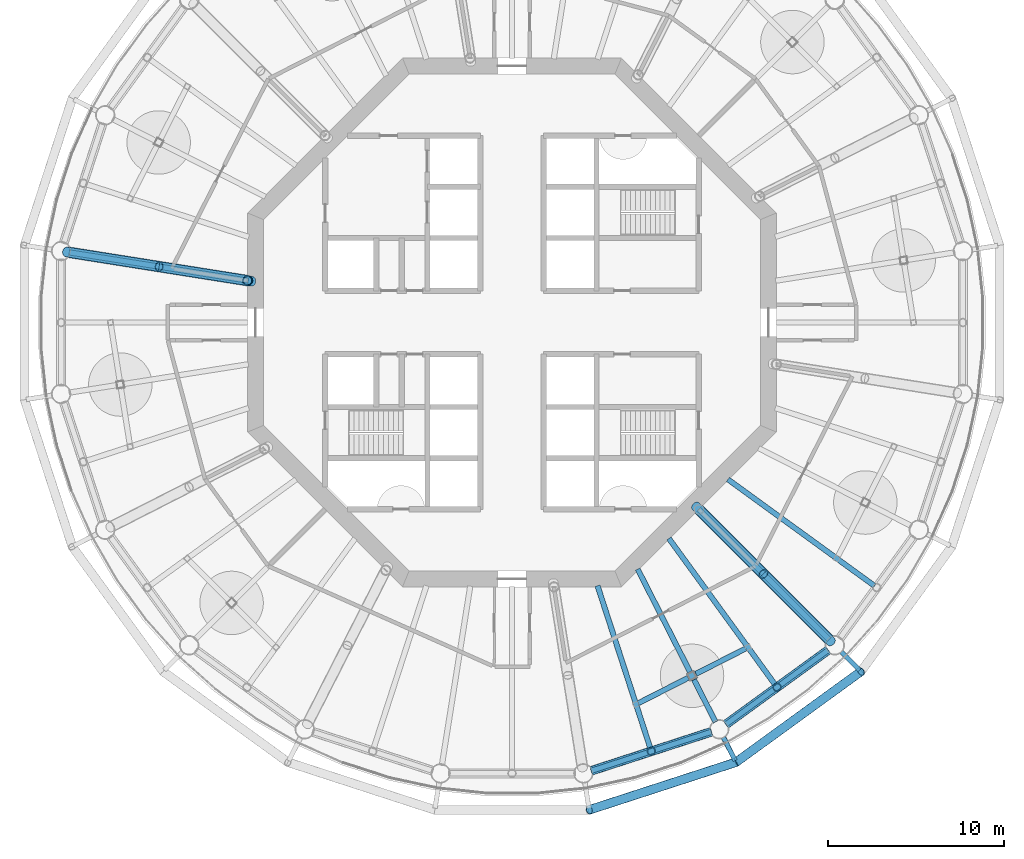
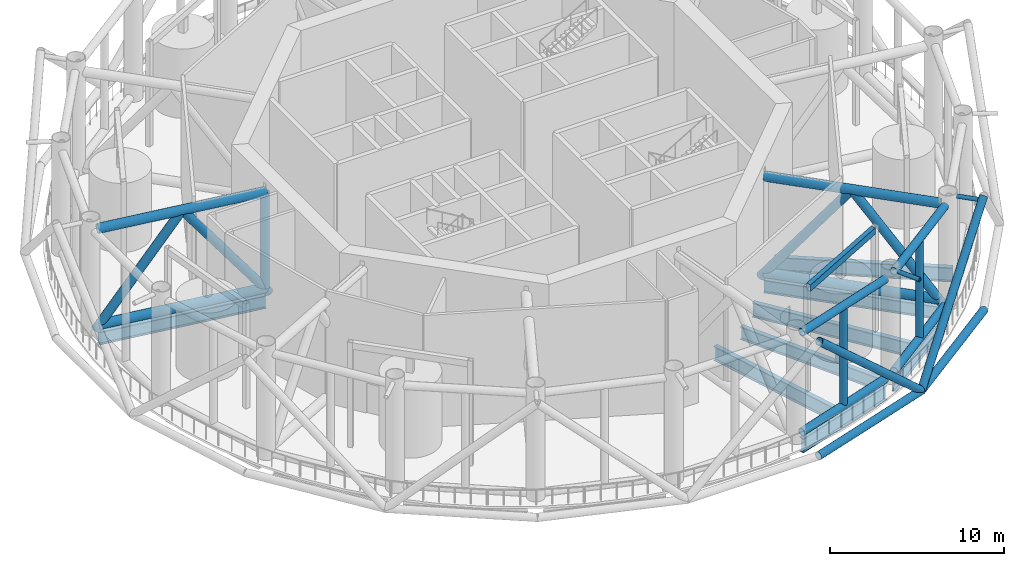
# One storey, part 7 of 22: 22 members, 9 beams.
"""IFC4 building model written with IfcOpenShell, lengths in metres."""

from ifc_helpers import new_model, si_unit, direction, frame, origin, origin_2d, place, context, subcontext, project, spatial, rectangle, hollow_rectangle, circle, hollow_circle, i_section, extrude, material, material_profile, profile_set, type_object, element, save


model = new_model("IFC4")

# Units and contexts
model_context = context("Model", 3, precision=1e-05, world=origin(), true_north=direction((0.0, 1.0)))
body_context = subcontext(model_context, "Body", "Model", "MODEL_VIEW")
ifc_project = project(units=[si_unit("LENGTHUNIT", "METRE"), si_unit("AREAUNIT", "SQUARE_METRE"), si_unit("VOLUMEUNIT", "CUBIC_METRE"), si_unit("PLANEANGLEUNIT", "RADIAN"), si_unit("MASSUNIT", "GRAM", prefix="KILO")], contexts=[model_context])

# Site, building, storey
site_placement = place(None, origin())
site = spatial("IfcSite", under=ifc_project, at=site_placement, CompositionType="ELEMENT")
building_placement = place(site_placement, origin())
building = spatial("IfcBuilding", under=site, at=building_placement, Name="Entoto Ring Tower", CompositionType="ELEMENT")
storey_placement = place(building_placement, frame((0.0, 0.0, 230.0)))
storey = spatial("IfcBuildingStorey", under=building, at=storey_placement, Name="L53", CompositionType="ELEMENT", Elevation=230.0)

# Members
ifc_material_1 = material(Name="Steel S355", Category="steel")
ifc_material_profile_1 = material_profile(ifc_material_1, hollow_circle(Radius=0.25390625, WallThickness=0.02490234375, at=origin_2d()), Name="CHS 508 x 25")
ifc_material_2 = material(Name="Concrete C60/75", Category="concrete")
ifc_material_profile_2 = material_profile(ifc_material_2, circle(Radius=0.22900390625, at=origin_2d()), Name="Concrete C60/75 infill")
ifc_profile_set_1 = profile_set([ifc_material_profile_1, ifc_material_profile_2], Name="Steel S355")
member_type_1 = type_object("IfcMemberType", Name="Diagrid diagonal 508 x 25 concrete-filled tube", PredefinedType="BRACE", material=ifc_profile_set_1)
for number, where, z_axis, x_axis, name in (
    (1, (102.711669921875, 55.0517578125, 0.0), (-0.702283739289, -0.228181506805, 0.674337266865), (0.309011711991, -0.95105823263, 0.0), "DG5 module 17 17"),
    (2, (102.711669921875, 55.0517578125, 0.0), (0.597406930213, 0.434030642959, 0.674331046821), (-0.587775592458, 0.809024012567, 0.0), "DG5 module 17 18"),
):
    element("IfcMember", number, at=place(storey_placement, frame(where, z_axis=z_axis, x_axis=x_axis)), inside=storey, type_object=member_type_1, Name=name, PredefinedType="BRACE", context=body_context, shape_type="SweptSolid", body=[
        extrude(hollow_circle(Radius=0.25390625, WallThickness=0.02490234375, at=origin_2d()), origin(), (0.0, 0.0, 1.0), 11.863525390625),
    ])
ifc_material_3 = material(Name="Steel S355", Category="steel")
ifc_material_profile_3 = material_profile(ifc_material_3, hollow_circle(Radius=0.136474609375, WallThickness=0.012451171875, at=origin_2d()), Name="CHS 273 x 12.5")
ifc_material_4 = material(Name="Concrete C60/75", Category="concrete")
ifc_material_profile_4 = material_profile(ifc_material_4, circle(Radius=0.1240234375, at=origin_2d()), Name="Concrete C60/75 infill")
ifc_profile_set_2 = profile_set([ifc_material_profile_3, ifc_material_profile_4], Name="Steel S355")
member_type_2 = type_object("IfcMemberType", Name="Diagrid node strut 273 x 12.5", PredefinedType="STRUT", material=ifc_profile_set_2)
for number, where, z_axis, x_axis, name in (
    (3, (101.9912109375, 56.466064453125, 7.71337890625), (0.453898730756, -0.891053276869, 0.0), (0.891053276869, 0.453898730756, 0.0), "DS2 strut ring 17 16"),
    (4, (108.676513671875, 61.323486328125, 7.71337890625), (0.707106781187, -0.707106781187, 0.0), (0.707106781187, 0.707106781187, 0.0), "DS2 strut ring 17 17"),
):
    element("IfcMember", number, at=place(storey_placement, frame(where, z_axis=z_axis, x_axis=x_axis)), inside=storey, type_object=member_type_2, Name=name, PredefinedType="STRUT", context=body_context, shape_type="SweptSolid", body=[
        extrude(hollow_circle(Radius=0.136474609375, WallThickness=0.012451171875, at=origin_2d()), origin(), (0.0, 0.0, 1.0), 1.4873046875),
    ])
ifc_material_5 = material(Name="Steel S355", Category="steel")
ifc_material_profile_5 = material_profile(ifc_material_5, hollow_circle(Radius=0.25390625, WallThickness=0.030029296875, at=origin_2d()), Name="CHS 508 x 30")
ifc_material_6 = material(Name="Concrete C60/75", Category="concrete")
ifc_material_profile_6 = material_profile(ifc_material_6, circle(Radius=0.22412109375, at=origin_2d()), Name="Concrete C60/75 infill")
ifc_profile_set_3 = profile_set([ifc_material_profile_5, ifc_material_profile_6], Name="Steel S355")
member_type_3 = type_object("IfcMemberType", Name="Diagrid ring beam 508 x 30", PredefinedType="CHORD", material=ifc_profile_set_3)
for number, where, z_axis, x_axis, name in (
    (5, (94.322998046875, 52.326171875, 0.0), (0.951061338755, 0.309002151976, 0.0), (-0.309002151976, 0.951061338755, 0.0), "DR2 ring 16 16"),
    (6, (102.6630859375, 55.016357421875, 0.0), (0.809012987705, 0.587790766961, 0.0), (-0.587790766961, 0.809012987705, 0.0), "DR2 ring 16 17"),
):
    element("IfcMember", number, at=place(storey_placement, frame(where, z_axis=z_axis, x_axis=x_axis)), inside=storey, type_object=member_type_3, Name=name, PredefinedType="CHORD", context=body_context, shape_type="SweptSolid", body=[
        extrude(hollow_circle(Radius=0.25390625, WallThickness=0.030029296875, at=origin_2d()), origin(), (0.0, 0.0, 1.0), 8.880615234375),
    ])

# Beams
ifc_material_7 = material(Name="Steel S355", Category="steel")
ifc_material_profile_7 = material_profile(ifc_material_7, i_section(OverallWidth=0.300048828125, OverallDepth=1.0, WebThickness=0.01904296875, FlangeThickness=0.035888671875, FilletRadius=0.030029296875, at=origin_2d()), Name="HE 1000 B")
ifc_profile_set_4 = profile_set([ifc_material_profile_7], Name="Steel S355")
beam_type_1 = type_object("IfcBeamType", Name="Edge beam HE 1000 B", PredefinedType="SPANDREL", material=ifc_profile_set_4)
beam_1_placement = place(storey_placement, frame((94.486083984375, 54.56005859375, -0.64990234375), z_axis=(0.951056775099, 0.309016197858, 0.0), x_axis=(-0.309016197858, 0.951056775099, 0.0)))
element("IfcBeam", 7, at=beam_1_placement, inside=storey, type_object=beam_type_1, Name="Edge beam L53 16", PredefinedType="SPANDREL", context=body_context, shape_type="SweptSolid", body=[
    extrude(i_section(OverallWidth=0.300048828125, OverallDepth=1.0, WebThickness=0.01904296875, FlangeThickness=0.035888671875, FilletRadius=0.030029296875, at=origin_2d()), origin(), (0.0, 0.0, 1.0), 7.189453125),
])
beam_2_placement = place(storey_placement, frame((102.1279296875, 57.19140625, -0.64990234375), z_axis=(0.809003255445, 0.587804161843, 0.0), x_axis=(-0.587804161843, 0.809003255445, 0.0)))
element("IfcBeam", 8, at=beam_2_placement, inside=storey, type_object=beam_type_1, Name="Edge beam L53 17", PredefinedType="SPANDREL", context=body_context, shape_type="SweptSolid", body=[
    extrude(i_section(OverallWidth=0.300048828125, OverallDepth=1.0, WebThickness=0.01904296875, FlangeThickness=0.035888671875, FilletRadius=0.030029296875, at=origin_2d()), origin(), (0.0, 0.0, 1.0), 7.189697265625),
])

# Members
ifc_material_8 = material(Name="Steel S355", Category="steel")
ifc_material_profile_8 = material_profile(ifc_material_8, hollow_circle(Radius=0.304931640625, WallThickness=0.030029296875, at=origin_2d()), Name="CHS 610 x 30")
ifc_material_9 = material(Name="Concrete C60/75", Category="concrete")
ifc_material_profile_9 = material_profile(ifc_material_9, circle(Radius=0.27490234375, at=origin_2d()), Name="Concrete C60/75 infill")
ifc_profile_set_5 = profile_set([ifc_material_profile_8, ifc_material_profile_9], Name="Steel S355")
member_type_4 = type_object("IfcMemberType", Name="Outrigger chord 610 x 30", PredefinedType="CHORD", material=ifc_profile_set_5)
for number, where, z_axis, x_axis, name in (
    (9, (75.0673828125, 82.364990234375, 0.304931640625), (-0.987687448158, 0.156440099565, 0.0), (-0.156440099565, -0.987687448158, 0.0), "OR1B L53 bottom 05"),
    (10, (75.0673828125, 82.364990234375, 7.044921875), (-0.987687448158, 0.156440099565, 0.0), (-0.156440099565, -0.987687448158, 0.0), "OR1B L53 top 05"),
):
    element("IfcMember", number, at=place(storey_placement, frame(where, z_axis=z_axis, x_axis=x_axis)), inside=storey, type_object=member_type_4, Name=name, PredefinedType="CHORD", context=body_context, shape_type="SweptSolid", body=[
        extrude(hollow_circle(Radius=0.304931640625, WallThickness=0.030029296875, at=origin_2d()), origin(), (0.0, 0.0, 1.0), 10.34375),
    ])
for number, where, z_axis, x_axis, name in (
    (11, (100.592529296875, 69.407470703125, 0.304931640625), (0.707106781187, -0.707106781187, 0.0), (0.707106781187, 0.707106781187, 0.0), "OR1B L53 bottom 09"),
    (12, (100.592529296875, 69.407470703125, 7.044921875), (0.707106781187, -0.707106781187, 0.0), (0.707106781187, 0.707106781187, 0.0), "OR1B L53 top 09"),
):
    element("IfcMember", number, at=place(storey_placement, frame(where, z_axis=z_axis, x_axis=x_axis)), inside=storey, type_object=member_type_4, Name=name, PredefinedType="CHORD", context=body_context, shape_type="SweptSolid", body=[
        extrude(hollow_circle(Radius=0.304931640625, WallThickness=0.030029296875, at=origin_2d()), origin(), (0.0, 0.0, 1.0), 10.482421875),
    ])
ifc_material_10 = material(Name="Steel S355", Category="steel")
ifc_material_profile_10 = material_profile(ifc_material_10, hollow_circle(Radius=0.279541015625, WallThickness=0.031982421875, at=origin_2d()), Name="CHS 559 x 32")
ifc_material_11 = material(Name="Concrete C60/75", Category="concrete")
ifc_material_profile_11 = material_profile(ifc_material_11, circle(Radius=0.24755859375, at=origin_2d()), Name="Concrete C60/75 infill")
ifc_profile_set_6 = profile_set([ifc_material_profile_10, ifc_material_profile_11], Name="Steel S355")
member_type_5 = type_object("IfcMemberType", Name="Outrigger diagonal 559 x 32", PredefinedType="BRACE", material=ifc_profile_set_6)
member_1_placement = place(storey_placement, frame((75.236083984375, 82.33837890625, -0.01220703125), z_axis=(-0.594598798703, 0.094168980477, 0.79848886761), x_axis=(-0.156424389909, -0.987689936286, 0.0)))
element("IfcMember", 13, at=member_1_placement, inside=storey, type_object=member_type_5, Name="OR2 L53 05 1", PredefinedType="BRACE", context=body_context, shape_type="SweptSolid", body=[
    extrude(hollow_circle(Radius=0.279541015625, WallThickness=0.031982421875, at=origin_2d()), origin(), (0.0, 0.0, 1.0), 8.838134765625),
])
member_2_placement = place(storey_placement, frame((69.98095703125, 83.170654296875, 7.044921875), z_axis=(-0.594591587458, 0.094182599771, -0.798492631165), x_axis=(-0.156448310241, -0.987686147631, 0.0)))
element("IfcMember", 14, at=member_2_placement, inside=storey, type_object=member_type_5, Name="OR2 L53 05 2", PredefinedType="BRACE", context=body_context, shape_type="SweptSolid", body=[
    extrude(hollow_circle(Radius=0.279541015625, WallThickness=0.031982421875, at=origin_2d()), origin(), (0.0, 0.0, 1.0), 8.83154296875),
])
for number, where, z_axis, x_axis, name in (
    (15, (100.441162109375, 69.558837890625, 0.00048828125), (0.430638135841, -0.430638135841, 0.793159247515), (0.707106781187, 0.707106781187, 0.0), "OR2 L53 09 1"),
    (16, (104.265869140625, 65.734130859375, 7.044921875), (0.430638135841, -0.430638135841, -0.793159247515), (0.707106781187, 0.707106781187, 0.0), "OR2 L53 09 2"),
):
    element("IfcMember", number, at=place(storey_placement, frame(where, z_axis=z_axis, x_axis=x_axis)), inside=storey, type_object=member_type_5, Name=name, PredefinedType="BRACE", context=body_context, shape_type="SweptSolid", body=[
        extrude(hollow_circle(Radius=0.279541015625, WallThickness=0.031982421875, at=origin_2d()), origin(), (0.0, 0.0, 1.0), 8.881591796875),
    ])
ifc_material_12 = material(Name="Steel S355", Category="steel")
ifc_material_profile_12 = material_profile(ifc_material_12, hollow_circle(Radius=0.279541015625, WallThickness=0.031982421875, at=origin_2d()), Name="CHS 559 x 32")
ifc_material_13 = material(Name="Concrete C60/75", Category="concrete")
ifc_material_profile_13 = material_profile(ifc_material_13, circle(Radius=0.24755859375, at=origin_2d()), Name="Concrete C60/75 infill")
ifc_profile_set_7 = profile_set([ifc_material_profile_12, ifc_material_profile_13], Name="Steel S355")
member_type_6 = type_object("IfcMemberType", Name="Outrigger post 559 x 32", PredefinedType="POST", material=ifc_profile_set_7)
member_3_placement = place(storey_placement, frame((75.0, 82.375732421875, 0.304931640625), z_axis=(0.0, 0.0, 1.0), x_axis=(1.0, 0.0, 0.0)))
element("IfcMember", 17, at=member_3_placement, inside=storey, type_object=member_type_6, Name="OR3A L53 05", PredefinedType="POST", context=body_context, shape_type="SweptSolid", body=[
    extrude(hollow_circle(Radius=0.279541015625, WallThickness=0.031982421875, at=origin_2d()), origin(), (0.0, 0.0, 1.0), 6.739990234375),
])

# Beams
ifc_material_14 = material(Name="Steel S355", Category="steel")
ifc_material_profile_14 = material_profile(ifc_material_14, i_section(OverallWidth=0.300048828125, OverallDepth=0.89990234375, WebThickness=0.0185546875, FlangeThickness=0.034912109375, FilletRadius=0.030029296875, at=origin_2d()), Name="HE 900 B")
ifc_profile_set_8 = profile_set([ifc_material_profile_14], Name="Steel S355")
beam_type_2 = type_object("IfcBeamType", Name="Primary floor beam HE 900 B", PredefinedType="BEAM", material=ifc_profile_set_8)
beam_3_placement = place(storey_placement, frame((75.043212890625, 82.368896484375, -0.60009765625), z_axis=(-0.987687319674, 0.156440910745, 0.0), x_axis=(-0.156440910745, -0.987687319674, 0.0)))
element("IfcBeam", 18, at=beam_3_placement, inside=storey, type_object=beam_type_2, Name="Primary L53 R10", PredefinedType="BEAM", context=body_context, shape_type="SweptSolid", body=[
    extrude(i_section(OverallWidth=0.300048828125, OverallDepth=0.89990234375, WebThickness=0.0185546875, FlangeThickness=0.034912109375, FilletRadius=0.030029296875, at=origin_2d()), origin(), (0.0, 0.0, 1.0), 10.2998046875),
])
beam_4_placement = place(storey_placement, frame((97.129150390625, 66.00830078125, -0.60009765625), z_axis=(0.453998626269, -0.891002383468, 0.0), x_axis=(0.891002383468, 0.453998626269, 0.0)))
element("IfcBeam", 19, at=beam_4_placement, inside=storey, type_object=beam_type_2, Name="Primary L53 R17", PredefinedType="BEAM", context=body_context, shape_type="SweptSolid", body=[
    extrude(i_section(OverallWidth=0.300048828125, OverallDepth=0.89990234375, WebThickness=0.0185546875, FlangeThickness=0.034912109375, FilletRadius=0.030029296875, at=origin_2d()), origin(), (0.0, 0.0, 1.0), 9.73974609375),
])
beam_5_placement = place(storey_placement, frame((100.592529296875, 69.407470703125, -0.60009765625), z_axis=(0.707106781187, -0.707106781187, 0.0), x_axis=(0.707106781187, 0.707106781187, 0.0)))
element("IfcBeam", 20, at=beam_5_placement, inside=storey, type_object=beam_type_2, Name="Primary L53 R18", PredefinedType="BEAM", context=body_context, shape_type="SweptSolid", body=[
    extrude(i_section(OverallWidth=0.300048828125, OverallDepth=0.89990234375, WebThickness=0.0185546875, FlangeThickness=0.034912109375, FilletRadius=0.030029296875, at=origin_2d()), origin(), (0.0, 0.0, 1.0), 10.462890625),
])

# Members
ifc_material_15 = material(Name="Steel S355", Category="steel")
ifc_material_profile_15 = material_profile(ifc_material_15, hollow_circle(Radius=0.25390625, WallThickness=0.030029296875, at=origin_2d()), Name="CHS 508 x 30")
ifc_material_16 = material(Name="Concrete C60/75", Category="concrete")
ifc_material_profile_16 = material_profile(ifc_material_16, circle(Radius=0.22412109375, at=origin_2d()), Name="Concrete C60/75 infill")
ifc_profile_set_9 = profile_set([ifc_material_profile_15, ifc_material_profile_16], Name="Steel S355")
member_type_7 = type_object("IfcMemberType", Name="Ring truss chord 508 x 30", PredefinedType="CHORD", material=ifc_profile_set_9)
for number, where, z_axis, x_axis, name in (
    (21, (94.49658203125, 54.5634765625, 0.25390625), (0.951060598025, 0.30900443182, 0.0), (-0.30900443182, 0.951060598025, 0.0), "BT1 L53 bottom 16"),
    (22, (94.49658203125, 54.5634765625, 7.236083984375), (0.951060598025, 0.30900443182, 0.0), (-0.30900443182, 0.951060598025, 0.0), "BT1 L53 top 16"),
    (23, (102.13671875, 57.19775390625, 0.25390625), (0.809014372494, 0.587788860985, 0.0), (-0.587788860985, 0.809014372494, 0.0), "BT1 L53 bottom 17"),
    (24, (102.13671875, 57.19775390625, 7.236083984375), (0.809014372494, 0.587788860985, 0.0), (-0.587788860985, 0.809014372494, 0.0), "BT1 L53 top 17"),
):
    element("IfcMember", number, at=place(storey_placement, frame(where, z_axis=z_axis, x_axis=x_axis)), inside=storey, type_object=member_type_7, Name=name, PredefinedType="CHORD", context=body_context, shape_type="SweptSolid", body=[
        extrude(hollow_circle(Radius=0.25390625, WallThickness=0.030029296875, at=origin_2d()), origin(), (0.0, 0.0, 1.0), 7.167724609375),
    ])
ifc_material_17 = material(Name="Steel S355", Category="steel")
ifc_material_profile_17 = material_profile(ifc_material_17, hollow_circle(Radius=0.228515625, WallThickness=0.02001953125, at=origin_2d()), Name="CHS 457 x 20")
ifc_material_18 = material(Name="Concrete C60/75", Category="concrete")
ifc_material_profile_18 = material_profile(ifc_material_18, circle(Radius=0.20849609375, at=origin_2d()), Name="Concrete C60/75 infill")
ifc_profile_set_10 = profile_set([ifc_material_profile_17, ifc_material_profile_18], Name="Steel S355")
member_type_8 = type_object("IfcMemberType", Name="Ring truss post 457 x 20", PredefinedType="POST", material=ifc_profile_set_10)
for number, where, z_axis, x_axis, name in (
    (25, (97.905029296875, 55.6708984375, 0.25390625), (0.0, 0.0, 1.0), (1.0, 0.0, 0.0), "BT3 L53 16"),
    (26, (105.0361328125, 59.304443359375, 0.25390625), (0.0, 0.0, 1.0), (1.0, 0.0, 0.0), "BT3 L53 17"),
):
    element("IfcMember", number, at=place(storey_placement, frame(where, z_axis=z_axis, x_axis=x_axis)), inside=storey, type_object=member_type_8, Name=name, PredefinedType="POST", context=body_context, shape_type="SweptSolid", body=[
        extrude(hollow_circle(Radius=0.228515625, WallThickness=0.02001953125, at=origin_2d()), origin(), (0.0, 0.0, 1.0), 6.982177734375),
    ])

# Beams
ifc_material_19 = material(Name="Steel S355", Category="steel")
ifc_material_profile_19 = material_profile(ifc_material_19, i_section(OverallWidth=0.300048828125, OverallDepth=1.0, WebThickness=0.01904296875, FlangeThickness=0.035888671875, FilletRadius=0.030029296875, at=origin_2d()), Name="HE 1000 B")
ifc_profile_set_11 = profile_set([ifc_material_profile_19], Name="Steel S355")
beam_type_3 = type_object("IfcBeamType", Name="Secondary floor beam HE 1000 B", PredefinedType="JOIST", material=ifc_profile_set_11)
beam_6_placement = place(storey_placement, frame((94.8525390625, 65.0654296875, -0.64990234375), z_axis=(0.309013434819, -0.951057672858, 0.0), x_axis=(0.951057672858, 0.309013434819, 0.0)))
element("IfcBeam", 27, at=beam_6_placement, inside=storey, type_object=beam_type_3, Name="Secondary beam L53 16", PredefinedType="JOIST", context=body_context, shape_type="SweptSolid", body=[
    extrude(i_section(OverallWidth=0.300048828125, OverallDepth=1.0, WebThickness=0.01904296875, FlangeThickness=0.035888671875, FilletRadius=0.030029296875, at=origin_2d()), origin(), (0.0, 0.0, 1.0), 9.72802734375),
])
for number, where, z_axis, x_axis, name in (
    (28, (98.90087890625, 67.748779296875, -0.64990234375), (0.587792065864, -0.809012043981, 0.0), (0.809012043981, 0.587792065864, 0.0), "Secondary beam L53 17"),
    (29, (102.251220703125, 71.09912109375, -0.64990234375), (0.809012043981, -0.587792065864, 0.0), (0.587792065864, 0.809012043981, 0.0), "Secondary beam L53 18"),
):
    element("IfcBeam", number, at=place(storey_placement, frame(where, z_axis=z_axis, x_axis=x_axis)), inside=storey, type_object=beam_type_3, Name=name, PredefinedType="JOIST", context=body_context, shape_type="SweptSolid", body=[
        extrude(i_section(OverallWidth=0.300048828125, OverallDepth=1.0, WebThickness=0.01904296875, FlangeThickness=0.035888671875, FilletRadius=0.030029296875, at=origin_2d()), origin(), (0.0, 0.0, 1.0), 10.287841796875),
    ])

# Member
ifc_material_20 = material(Name="Steel S355", Category="steel")
ifc_material_profile_20 = material_profile(ifc_material_20, rectangle(XDim=0.5, YDim=0.5, at=origin_2d()), Name="Turbine base 500 x 500 mm steel pedestal")
ifc_profile_set_12 = profile_set([ifc_material_profile_20], Name="Steel S355")
member_type_9 = type_object("IfcMemberType", Name="Turbine base 500 x 500 mm steel pedestal", PredefinedType="POST", material=ifc_profile_set_12)
member_4_placement = place(storey_placement, frame((100.21484375, 59.952392578125, 0.0), z_axis=(0.0, 0.0, 1.0), x_axis=(0.891006524188, 0.45399049974, 0.0)))
element("IfcMember", 30, at=member_4_placement, inside=storey, type_object=member_type_9, Name="TURBINE BASE 7", PredefinedType="POST", context=body_context, shape_type="SweptSolid", body=[
    extrude(rectangle(XDim=0.5, YDim=0.5, at=origin_2d()), origin(), (0.0, 0.0, 1.0), 1.050048828125),
])

# Beam
ifc_material_21 = material(Name="Steel S355", Category="steel")
ifc_material_profile_21 = material_profile(ifc_material_21, hollow_rectangle(XDim=0.300048828125, YDim=0.449951171875, WallThickness=0.013916015625, at=origin_2d()), Name="Turbine frame beam 300 x 450 x 14 mm")
ifc_profile_set_13 = profile_set([ifc_material_profile_21], Name="Steel S355")
beam_type_4 = type_object("IfcBeamType", Name="Turbine frame beam 300 x 450 x 14 mm", PredefinedType="BEAM", material=ifc_profile_set_13)
beam_7_placement = place(storey_placement, frame((97.173095703125, 58.402587890625, 7.125), z_axis=(0.891004291179, 0.453994882241, 0.0), x_axis=(-0.453994882241, 0.891004291179, 0.0)))
element("IfcBeam", 31, at=beam_7_placement, inside=storey, type_object=beam_type_4, Name="TURBINE FRAME BEAM 7", PredefinedType="BEAM", context=body_context, shape_type="SweptSolid", body=[
    extrude(hollow_rectangle(XDim=0.300048828125, YDim=0.449951171875, WallThickness=0.013916015625, at=origin_2d()), origin(), (0.0, 0.0, 1.0), 6.827392578125),
])

save(model, "model.ifc")
